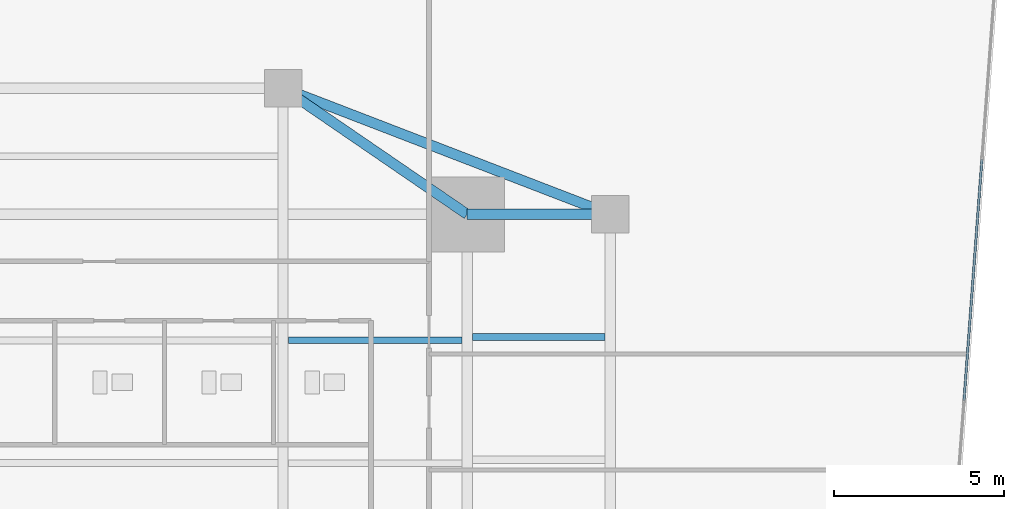
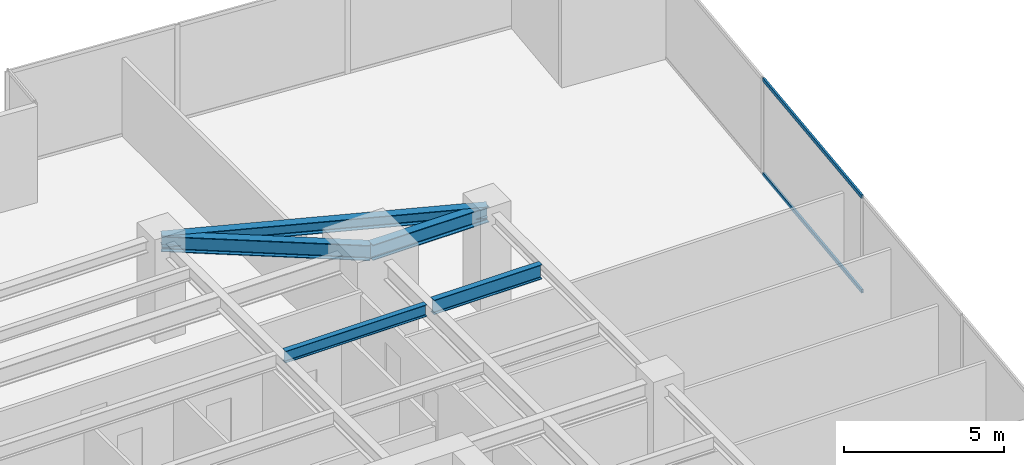
# One storey, part 21 of 30: 5 beams, 2 members, 1 element without a shape of its own.
"""IFC4 building model written with IfcOpenShell, lengths in metres."""

from ifc_helpers import new_model, si_unit, direction, frame, origin, origin_2d, place, context, subcontext, project, spatial, hollow_rectangle, i_section, extrude, source, transform, mapped, material, material_profile, profile_set, type_object, type_shapes, element, aggregate, save


model = new_model("IFC4")

# Units and contexts
model_context = context("Model", 3, precision=1e-05, world=origin(), true_north=direction((0.0, 1.0)))
body_context = subcontext(model_context, "Body", "Model", "MODEL_VIEW")
ifc_project = project(units=[si_unit("LENGTHUNIT", "METRE"), si_unit("AREAUNIT", "SQUARE_METRE"), si_unit("VOLUMEUNIT", "CUBIC_METRE"), si_unit("PLANEANGLEUNIT", "RADIAN"), si_unit("MASSUNIT", "GRAM", prefix="KILO")], contexts=[model_context])

# Site, building, storey
site_placement = place(None, origin())
site = spatial("IfcSite", under=ifc_project, at=site_placement, CompositionType="ELEMENT")
building_placement = place(site_placement, origin())
building = spatial("IfcBuilding", under=site, at=building_placement, Name="Krantzveldt Concourse Tower", CompositionType="ELEMENT")
storey_placement = place(building_placement, frame((0.0, 0.0, 52.64990234375)))
storey = spatial("IfcBuildingStorey", under=building, at=storey_placement, Name="L12", CompositionType="ELEMENT", Elevation=52.64990234375)

# Beams
ifc_material_1 = material(Name="Steel S355JR", Category="steel")
ifc_material_profile_1 = material_profile(ifc_material_1, i_section(OverallWidth=0.300048828125, OverallDepth=0.43994140625, WebThickness=0.011474609375, FlangeThickness=0.02099609375, FilletRadius=0.027099609375, at=origin_2d()), Name="Steel S355JR", Category="steel")
ifc_profile_set_1 = profile_set([ifc_material_profile_1], Name="Steel S355JR - HEA 450")
beam_type_1 = type_object("IfcBeamType", Name="BM-SP-HEA450", PredefinedType="SPANDREL", material=ifc_profile_set_1)
shared_shape_1 = source(origin(), body_context, "Body", "SweptSolid", [
    extrude(i_section(OverallWidth=0.300048828125, OverallDepth=0.43994140625, WebThickness=0.011474609375, FlangeThickness=0.02099609375, FilletRadius=0.027099609375, at=origin_2d()), origin(), (0.0, 0.0, 1.0), 10.288330078125),
])
type_shapes(beam_type_1, [shared_shape_1])
beam_1_placement = place(storey_placement, frame((41.39990234375, 41.199951171875, 3.4501953125), z_axis=(0.933097690408, -0.359622997257, 0.0), x_axis=(0.359622997257, 0.933097690408, 0.0)))
element("IfcBeam", 1, at=beam_1_placement, inside=storey, type_object=beam_type_1, Name="L12 Tower Girder SP-R05", PredefinedType="SPANDREL", context=body_context, shape_type="MappedRepresentation", body=[
    mapped(shared_shape_1, transform((0.0, 0.0, 0.0), x_axis=(1.0, 0.0, 0.0), y_axis=(0.0, 1.0, 0.0), z_axis=(0.0, 0.0, 1.0), scale=1.0)),
])
ifc_material_profile_2 = material_profile(ifc_material_1, i_section(OverallWidth=0.300048828125, OverallDepth=0.590087890625, WebThickness=0.012939453125, FlangeThickness=0.02490234375, FilletRadius=0.027099609375, at=origin_2d()), Name="Steel S355JR", Category="steel")
ifc_profile_set_2 = profile_set([ifc_material_profile_2], Name="Steel S355JR - HEA 600")
beam_type_2 = type_object("IfcBeamType", Name="BM-B-HEA600", PredefinedType="BEAM", material=ifc_profile_set_2)
shared_shape_2 = source(origin(), body_context, "Body", "SweptSolid", [
    extrude(i_section(OverallWidth=0.300048828125, OverallDepth=0.590087890625, WebThickness=0.012939453125, FlangeThickness=0.02490234375, FilletRadius=0.027099609375, at=origin_2d()), origin(), (0.0, 0.0, 1.0), 4.199951171875),
])
beam_2_placement = place(storey_placement, frame((46.800048828125, 37.5, 3.375), z_axis=(1.0, 0.0, 0.0), x_axis=(0.0, 1.0, 0.0)))
element("IfcBeam", 2, at=beam_2_placement, inside=storey, type_object=beam_type_2, Name="L12 Tower Girder BR-RR3", PredefinedType="BEAM", context=body_context, shape_type="MappedRepresentation", body=[
    mapped(shared_shape_2, transform((0.0, 0.0, 0.0), x_axis=(1.0, 0.0, 0.0), y_axis=(0.0, 1.0, 0.0), z_axis=(0.0, 0.0, 1.0), scale=1.0)),
])
shared_shape_3 = source(origin(), body_context, "Body", "SweptSolid", [
    extrude(i_section(OverallWidth=0.300048828125, OverallDepth=0.590087890625, WebThickness=0.012939453125, FlangeThickness=0.02490234375, FilletRadius=0.027099609375, at=origin_2d()), origin(), (0.0, 0.0, 1.0), 6.546142578125),
])
type_shapes(beam_type_2, [shared_shape_2, shared_shape_3])
beam_3_placement = place(storey_placement, frame((46.800048828125, 37.5, 3.375), z_axis=(-0.824942999484, 0.565215930068, 0.0), x_axis=(-0.565215930068, -0.824942999484, 0.0)))
element("IfcBeam", 3, at=beam_3_placement, inside=storey, type_object=beam_type_2, Name="L12 Tower Girder BR-RR4", PredefinedType="BEAM", context=body_context, shape_type="MappedRepresentation", body=[
    mapped(shared_shape_3, transform((0.0, 0.0, 0.0), x_axis=(1.0, 0.0, 0.0), y_axis=(0.0, 1.0, 0.0), z_axis=(0.0, 0.0, 1.0), scale=1.0)),
])
ifc_material_profile_3 = material_profile(ifc_material_1, i_section(OverallWidth=0.18994140625, OverallDepth=0.449951171875, WebThickness=0.009521484375, FlangeThickness=0.0146484375, FilletRadius=0.02099609375, at=origin_2d()), Name="Steel S355JR", Category="steel")
ifc_profile_set_3 = profile_set([ifc_material_profile_3], Name="Steel S355JR - IPE 450")
beam_type_3 = type_object("IfcBeamType", Name="BM-J-IPE450", PredefinedType="JOIST", material=ifc_profile_set_3)
shared_shape_4 = source(origin(), body_context, "Body", "SweptSolid", [
    extrude(i_section(OverallWidth=0.18994140625, OverallDepth=0.449951171875, WebThickness=0.009521484375, FlangeThickness=0.0146484375, FilletRadius=0.02099609375, at=origin_2d()), origin(), (0.0, 0.0, 1.0), 5.099853515625),
])
type_shapes(beam_type_3, [shared_shape_4])
beam_4_placement = place(storey_placement, frame((41.550048828125, 33.800048828125, 3.445068359375), z_axis=(1.0, 0.0, 0.0), x_axis=(0.0, 1.0, 0.0)))
element("IfcBeam", 4, at=beam_4_placement, inside=storey, type_object=beam_type_3, Name="L12 Secondary Floor Joist JN-E2", PredefinedType="JOIST", context=body_context, shape_type="MappedRepresentation", body=[
    mapped(shared_shape_4, transform((0.0, 0.0, 0.0), x_axis=(1.0, 0.0, 0.0), y_axis=(0.0, 1.0, 0.0), z_axis=(0.0, 0.0, 1.0), scale=1.0)),
])
ifc_material_profile_4 = material_profile(ifc_material_1, i_section(OverallWidth=0.2099609375, OverallDepth=0.550048828125, WebThickness=0.010986328125, FlangeThickness=0.01708984375, FilletRadius=0.02392578125, at=origin_2d()), Name="Steel S355JR", Category="steel")
ifc_profile_set_4 = profile_set([ifc_material_profile_4], Name="Steel S355JR - IPE 550")
beam_type_4 = type_object("IfcBeamType", Name="BM-J-IPE550", PredefinedType="JOIST", material=ifc_profile_set_4)
shared_shape_5 = source(origin(), body_context, "Body", "SweptSolid", [
    extrude(i_section(OverallWidth=0.2099609375, OverallDepth=0.550048828125, WebThickness=0.010986328125, FlangeThickness=0.01708984375, FilletRadius=0.02392578125, at=origin_2d()), origin(), (0.0, 0.0, 1.0), 3.900146484375),
])
type_shapes(beam_type_4, [shared_shape_5])
beam_5_placement = place(storey_placement, frame((46.949951171875, 33.89990234375, 3.39501953125), z_axis=(1.0, 0.0, 0.0), x_axis=(0.0, 1.0, 0.0)))
element("IfcBeam", 5, at=beam_5_placement, inside=storey, type_object=beam_type_4, Name="L12 Secondary Floor Joist JE-4", PredefinedType="JOIST", context=body_context, shape_type="MappedRepresentation", body=[
    mapped(shared_shape_5, transform((0.0, 0.0, 0.0), x_axis=(1.0, 0.0, 0.0), y_axis=(0.0, 1.0, 0.0), z_axis=(0.0, 0.0, 1.0), scale=1.0)),
])

# Curtain wall, members
ifc_material_2 = material(Name="Anodised aluminium 6063-T6", Category="aluminium")
curtain_wall_type = type_object("IfcCurtainWallType", Name="CW2", PredefinedType="USERDEFINED", material=ifc_material_2)
curtain_wall_placement = place(storey_placement, origin())
curtain_wall = element("IfcCurtainWall", 6, at=curtain_wall_placement, inside=storey, type_object=curtain_wall_type, Name="CW-L12-F07", ObjectType="UNITISED CURTAIN WALL", PredefinedType="USERDEFINED")
ifc_material_profile_5 = material_profile(ifc_material_2, hollow_rectangle(XDim=0.070068359375, YDim=0.139892578125, WallThickness=0.0048828125, at=origin_2d()), Name="Anodised aluminium 6063-T6", Category="aluminium")
ifc_profile_set_5 = profile_set([ifc_material_profile_5], Name="Anodised aluminium 6063-T6 - ALU-TRAN 140x70x5")
member_type = type_object("IfcMemberType", Name="CW-TRN-150", PredefinedType="USERDEFINED", material=ifc_profile_set_5)
shared_shape_6 = source(origin(), body_context, "Body", "SweptSolid", [
    extrude(hollow_rectangle(XDim=0.070068359375, YDim=0.139892578125, WallThickness=0.0048828125, at=origin_2d()), origin(), (0.0, 0.0, 1.0), 7.0966796875),
])
type_shapes(member_type, [shared_shape_6])
member_1_placement = place(storey_placement, frame((61.375244140625, 32.035888671875, 0.03515625), z_axis=(0.074102314311, 0.997250644028, 0.0), x_axis=(-0.997250644028, 0.074102314311, 0.0)))
member_1 = element("IfcMember", 7, at=member_1_placement, type_object=member_type, Name="CW-Z12 transom 5.1", ObjectType="TRANSOM", PredefinedType="USERDEFINED", context=body_context, shape_type="MappedRepresentation", body=[
    mapped(shared_shape_6, transform((0.0, 0.0, 0.0), x_axis=(1.0, 0.0, 0.0), y_axis=(0.0, 1.0, 0.0), z_axis=(0.0, 0.0, 1.0), scale=1.0)),
])
member_2_placement = place(storey_placement, frame((61.375244140625, 32.035888671875, 3.635009765625), z_axis=(0.074102314311, 0.997250644028, 0.0), x_axis=(-0.997250644028, 0.074102314311, 0.0)))
member_2 = element("IfcMember", 8, at=member_2_placement, type_object=member_type, Name="CW-Z12 transom 5.2", ObjectType="TRANSOM", PredefinedType="USERDEFINED", context=body_context, shape_type="MappedRepresentation", body=[
    mapped(shared_shape_6, transform((0.0, 0.0, 0.0), x_axis=(1.0, 0.0, 0.0), y_axis=(0.0, 1.0, 0.0), z_axis=(0.0, 0.0, 1.0), scale=1.0)),
])
aggregate(curtain_wall, [member_1, member_2])

save(model, "model.ifc")
